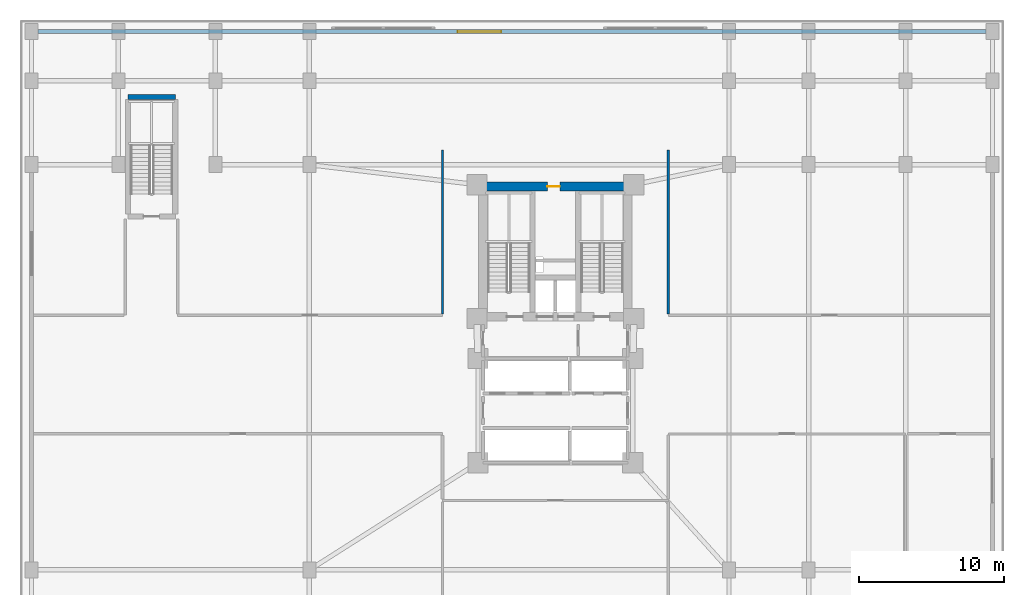
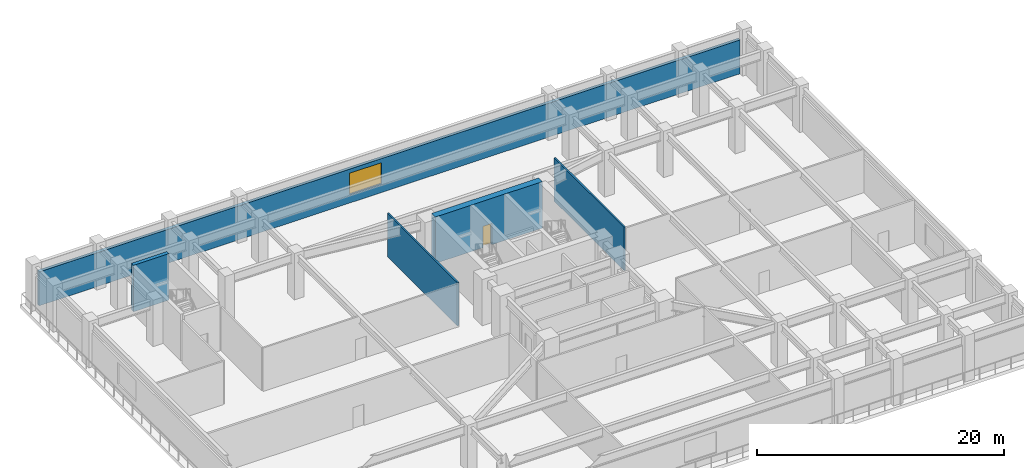
# One storey, part 9 of 12: 5 walls, 1 door, 1 window, 2 openings.
"""IFC4 building model written with IfcOpenShell, lengths in metres."""

from ifc_helpers import new_model, si_unit, direction, frame, frame_2d, origin, place, context, subcontext, project, spatial, rectangle, extrude, material, layer, layer_set, type_object, element, fill, save


model = new_model("IFC4")

# Units and contexts
model_context = context("Model", 3, precision=1e-05, world=origin(), true_north=direction((0.0, 1.0)))
body_context = subcontext(model_context, "Body", "Model", "MODEL_VIEW")
ifc_project = project(units=[si_unit("LENGTHUNIT", "METRE"), si_unit("AREAUNIT", "SQUARE_METRE"), si_unit("VOLUMEUNIT", "CUBIC_METRE"), si_unit("PLANEANGLEUNIT", "RADIAN"), si_unit("MASSUNIT", "GRAM", prefix="KILO")], contexts=[model_context])

# Site, building, storey
site_placement = place(None, origin())
site = spatial("IfcSite", under=ifc_project, at=site_placement, CompositionType="ELEMENT")
building_placement = place(site_placement, origin())
building = spatial("IfcBuilding", under=site, at=building_placement, Name="Varnakorn Sky Granary", CompositionType="ELEMENT")
storey_placement = place(building_placement, frame((0.0, 0.0, 4.60009765625)))
storey = spatial("IfcBuildingStorey", under=building, at=storey_placement, Name="L01", CompositionType="ELEMENT", Elevation=4.60009765625)

# Wall
ifc_material_1 = material(Name="Concrete C50/60", Category="concrete")
ifc_layer_1 = layer(ifc_material_1, 0.35009765625, Name="Concrete C50/60")
ifc_layer_set_1 = layer_set([ifc_layer_1], Name="Concrete C50/60")
wall_type_1 = type_object("IfcWallType", Name="WT-CW-INT-350", PredefinedType="SHEAR", material=ifc_layer_set_1)
wall_1_placement = place(storey_placement, frame((-26.550048828125, 18.679931640625, 0.0), z_axis=(0.0, 0.0, 1.0), x_axis=(1.0, 0.0, 0.0)))
element("IfcWall", 1, at=wall_1_placement, inside=storey, type_object=wall_type_1, Name="Podium Stair ST-B3 North Wall L01", PredefinedType="SHEAR", context=body_context, shape_type="SweptSolid", body=[
    extrude(rectangle(XDim=3.280029296875, YDim=0.35009765625, at=frame_2d((1.64013671875, 0.0))), origin(), (0.0, 0.0, 1.0), 4.591796875),
])

# Wall, opening, door
ifc_material_2 = material(Name="Concrete C60/75", Category="concrete")
ifc_layer_2 = layer(ifc_material_2, 0.60009765625, Name="Concrete C60/75")
ifc_layer_set_2 = layer_set([ifc_layer_2], Name="Concrete C60/75")
wall_type_2 = type_object("IfcWallType", Name="WT-CW-SHEAR-600", PredefinedType="SHEAR", material=ifc_layer_set_2)
wall_2_placement = place(storey_placement, frame((-2.0, 12.5, 0.0), z_axis=(0.0, 0.0, 1.0), x_axis=(1.0, 0.0, 0.0)))
wall_2 = element("IfcWall", 2, at=wall_2_placement, inside=storey, type_object=wall_type_2, Name="Core North Shear Wall L01", PredefinedType="SHEAR", context=body_context, shape_type="SweptSolid", body=[
    extrude(rectangle(XDim=10.0, YDim=0.60009765625, at=frame_2d((5.0, 0.0))), origin(), (0.0, 0.0, 1.0), 4.591796875),
])
opening_1_placement = place(wall_2_placement, frame((4.449951171875, 0.0, 0.0)))
opening_1 = element("IfcOpeningElement", 3, at=opening_1_placement, cuts=wall_2, Name="Opening FD-60N", PredefinedType="OPENING", context=body_context, shape_type="SweptSolid", body=[
    extrude(rectangle(XDim=0.85009765625, YDim=2.10009765625, at=frame_2d((0.425048828125, 1.050048828125))), frame((0.0, 0.31005859375, 0.0), z_axis=(0.0, -1.0, 0.0), x_axis=(1.0, 0.0, 0.0)), (0.0, 0.0, 1.0), 0.6201171875),
])
ifc_material_3 = material(Name="Acoustic Timber Fire Leaf", Category="wood")
door_type = type_object("IfcDoorType", Name="DR-FD60-850", OperationType="NOTDEFINED", PredefinedType="DOOR", material=ifc_material_3)
door_placement = place(opening_1_placement, origin())
door = element("IfcDoor", 4, at=door_placement, inside=storey, type_object=door_type, Name="Core North Service Door L01", OperationType="SINGLE_SWING_LEFT", OverallHeight=2.10009765625, OverallWidth=0.85009765625, PredefinedType="DOOR", context=body_context, shape_type="SweptSolid", body=[
    extrude(rectangle(XDim=0.85009765625, YDim=2.10009765625, at=frame_2d((0.425048828125, 1.050048828125))), frame((0.0, 0.02490234375, 0.0), z_axis=(0.0, -1.0, 0.0), x_axis=(1.0, 0.0, 0.0)), (0.0, 0.0, 1.0), 0.050048828125),
])
fill(opening_1, door)

# Wall, opening, window
ifc_material_4 = material(Name="Precast concrete C40/50", Category="concrete")
ifc_layer_3 = layer(ifc_material_4, 0.300048828125, Name="Precast concrete C40/50")
ifc_layer_set_3 = layer_set([ifc_layer_3], Name="Precast concrete C40/50")
wall_type_3 = type_object("IfcWallType", Name="WT-EW-POD-300", PredefinedType="SOLIDWALL", material=ifc_layer_set_3)
wall_3_placement = place(storey_placement, frame((-32.7548828125, 23.199951171875, 0.0), z_axis=(0.0, 0.0, 1.0), x_axis=(1.0, 0.0, 0.0)))
wall_3 = element("IfcWall", 5, at=wall_3_placement, inside=storey, type_object=wall_type_3, Name="Podium Exterior Facade Wall L01-N", PredefinedType="SOLIDWALL", context=body_context, shape_type="SweptSolid", body=[
    extrude(rectangle(XDim=65.509765625, YDim=0.300048828125, at=frame_2d((32.7548828125, 0.0))), origin(), (0.0, 0.0, 1.0), 3.349853515625),
])
opening_2_placement = place(wall_3_placement, frame((29.0, 0.0, 0.85009765625)))
opening_2 = element("IfcOpeningElement", 6, at=opening_2_placement, cuts=wall_3, Name="Opening WN-03", PredefinedType="OPENING", context=body_context, shape_type="SweptSolid", body=[
    extrude(rectangle(XDim=3.0, YDim=2.10009765625, at=frame_2d((1.5, 1.050048828125))), frame((0.0, 0.16015625, 0.0), z_axis=(0.0, -1.0, 0.0), x_axis=(1.0, 0.0, 0.0)), (0.0, 0.0, 1.0), 0.320068359375),
])
ifc_material_5 = material(Name="Low-E Tinted Laminated Glass", Category="glass")
window_type = type_object("IfcWindowType", Name="WN-MKT-3000", PartitioningType="SINGLE_PANEL", PredefinedType="WINDOW", material=ifc_material_5)
window_placement = place(opening_2_placement, origin())
window = element("IfcWindow", 7, at=window_placement, inside=storey, type_object=window_type, Name="Podium Facade Window L01-N", OverallHeight=2.10009765625, OverallWidth=3.0, PartitioningType="SINGLE_PANEL", PredefinedType="WINDOW", context=body_context, shape_type="SweptSolid", body=[
    extrude(rectangle(XDim=3.0, YDim=2.10009765625, at=frame_2d((1.5, 1.050048828125))), frame((0.0, 0.030029296875, 0.0), z_axis=(0.0, -1.0, 0.0), x_axis=(1.0, 0.0, 0.0)), (0.0, 0.0, 1.0), 0.06005859375),
])
fill(opening_2, window)

# Walls
ifc_material_6 = material(Name="Gypsum Plasterboard on Steel Stud", Category="steel")
ifc_layer_4 = layer(ifc_material_6, 0.14990234375, Name="Gypsum Plasterboard on Steel Stud")
ifc_layer_set_4 = layer_set([ifc_layer_4], Name="Gypsum Plasterboard on Steel Stud")
wall_type_4 = type_object("IfcWallType", Name="WT-PART-150", PredefinedType="PARTITIONING", material=ifc_layer_set_4)
for number, where, z_axis, x_axis, name in (
    (8, (-4.800048828125, 15.0, 0.0), (0.0, 0.0, 1.0), (0.0, -1.0, 0.0), "Interior Partition Wall L01-028"),
    (9, (10.800048828125, 3.68505859375, 0.0), (0.0, 0.0, 1.0), (0.0, 1.0, 0.0), "Interior Partition Wall L01-033"),
):
    element("IfcWall", number, at=place(storey_placement, frame(where, z_axis=z_axis, x_axis=x_axis)), inside=storey, type_object=wall_type_4, Name=name, PredefinedType="PARTITIONING", context=body_context, shape_type="SweptSolid", body=[
        extrude(rectangle(XDim=11.31494140625, YDim=0.14990234375, at=frame_2d((5.657470703125, 0.0))), origin(), (0.0, 0.0, 1.0), 4.27978515625),
    ])

save(model, "model.ifc")
